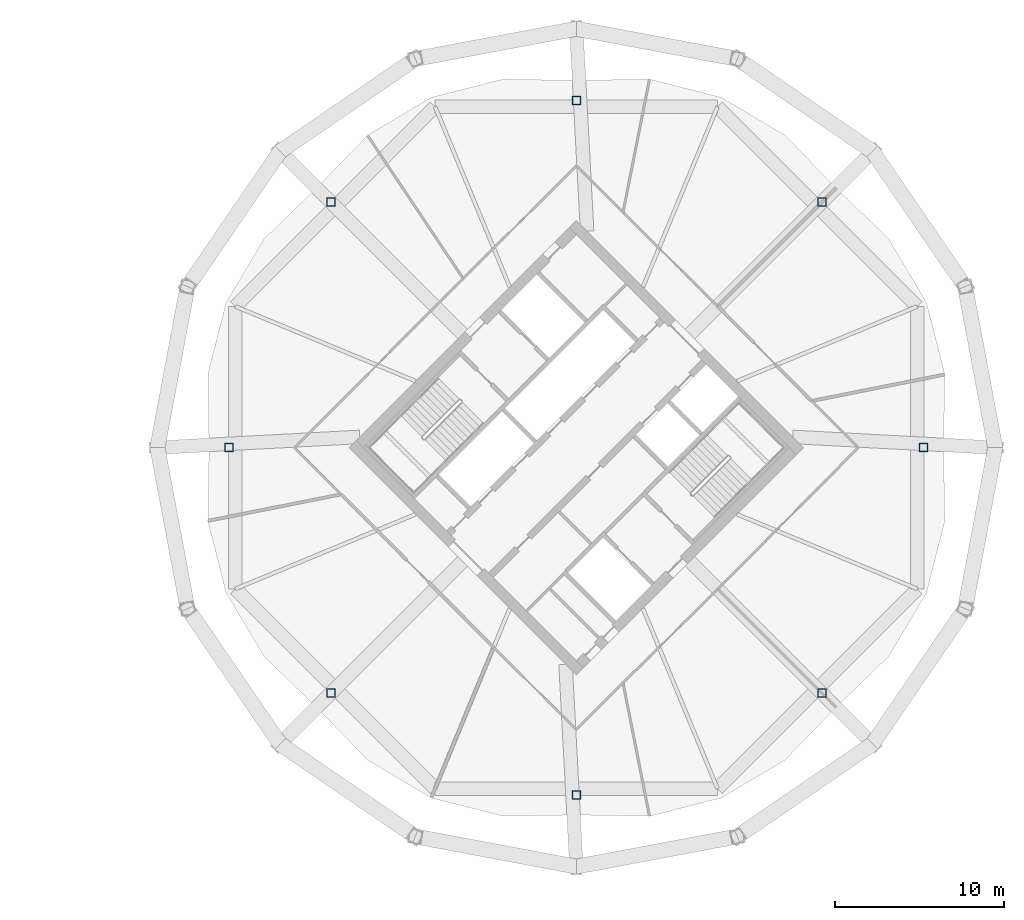
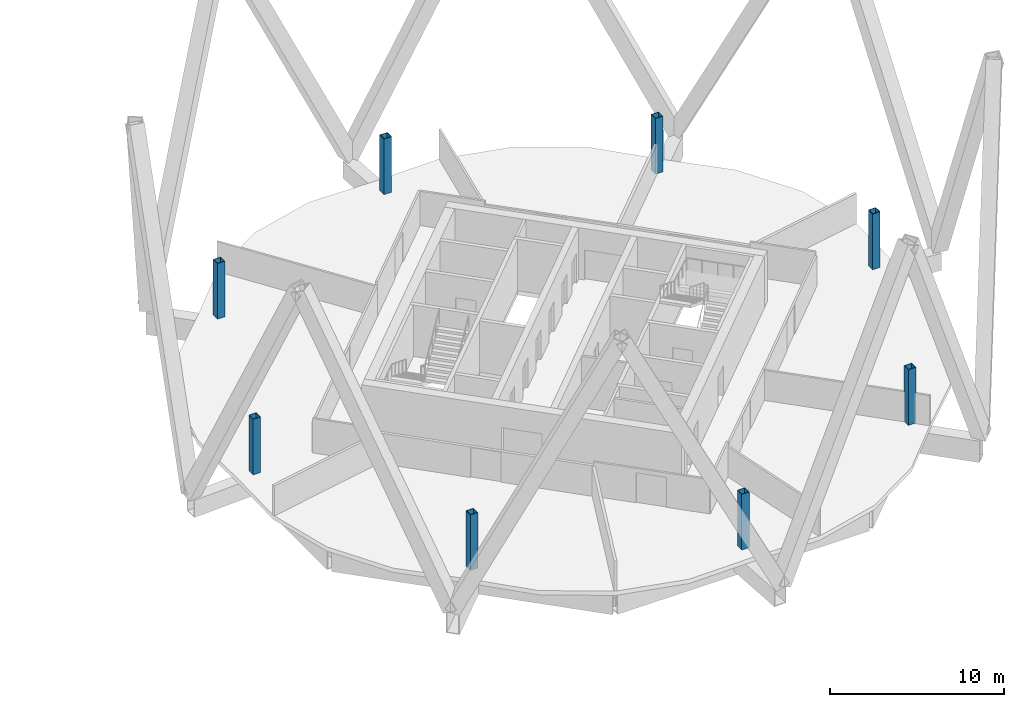
# One storey, part 2 of 10: 8 columns.
"""IFC4 building model written with IfcOpenShell, lengths in metres."""

from ifc_helpers import new_model, si_unit, direction, frame, origin, origin_2d, place, context, subcontext, project, spatial, hollow_rectangle, extrude, material, material_profile, profile_set, type_object, element, save


model = new_model("IFC4")

# Units and contexts
model_context = context("Model", 3, precision=1e-05, world=origin(), true_north=direction((0.0, 1.0)))
body_context = subcontext(model_context, "Body", "Model", "MODEL_VIEW")
ifc_project = project(units=[si_unit("LENGTHUNIT", "METRE"), si_unit("AREAUNIT", "SQUARE_METRE"), si_unit("VOLUMEUNIT", "CUBIC_METRE"), si_unit("PLANEANGLEUNIT", "RADIAN"), si_unit("MASSUNIT", "GRAM", prefix="KILO")], contexts=[model_context])

# Site, building, storey
site_placement = place(None, origin())
site = spatial("IfcSite", under=ifc_project, at=site_placement, CompositionType="ELEMENT")
building_placement = place(site_placement, origin())
building = spatial("IfcBuilding", under=site, at=building_placement, Name="Ogive Gate Towers", CompositionType="ELEMENT")
storey_placement = place(building_placement, frame((0.0, 0.0, 181.199951171875)))
storey = spatial("IfcBuildingStorey", under=building, at=storey_placement, Name="L43", CompositionType="ELEMENT", Elevation=181.199951171875)

# Columns
ifc_material = material(Name="Steel SM460", Category="steel")
ifc_material_profile = material_profile(ifc_material, hollow_rectangle(XDim=0.5, YDim=0.5, WallThickness=0.030029296875, at=origin_2d()), Name="BX 500x500x30")
ifc_profile_set = profile_set([ifc_material_profile], Name="Steel SM460")
column_type = type_object("IfcColumnType", Name="Perimeter post BX 500x500x30", PredefinedType="COLUMN", material=ifc_profile_set)
for number, where, z_axis, x_axis, name in (
    (1, (56.52001953125, 0.0, 0.0), (0.0, 0.0, 1.0), (1.0, 0.0, 0.0), "T2/L43/SCL001"),
    (2, (50.509765625, 14.509765625, 0.0), (0.0, 0.0, 1.0), (1.0, 0.0, 0.0), "T2/L43/SCL002"),
    (3, (36.0, 20.52001953125, 0.0), (0.0, 0.0, 1.0), (1.0, 0.0, 0.0), "T2/L43/SCL003"),
    (4, (21.490234375, 14.509765625, 0.0), (0.0, 0.0, 1.0), (1.0, 0.0, 0.0), "T2/L43/SCL004"),
    (5, (15.47998046875, 0.0, 0.0), (0.0, 0.0, 1.0), (1.0, 0.0, 0.0), "T2/L43/SCL005"),
    (6, (21.490234375, -14.509765625, 0.0), (0.0, 0.0, 1.0), (1.0, 0.0, 0.0), "T2/L43/SCL006"),
    (7, (36.0, -20.52001953125, 0.0), (0.0, 0.0, 1.0), (1.0, 0.0, 0.0), "T2/L43/SCL007"),
    (8, (50.509765625, -14.509765625, 0.0), (0.0, 0.0, 1.0), (1.0, 0.0, 0.0), "T2/L43/SCL008"),
):
    element("IfcColumn", number, at=place(storey_placement, frame(where, z_axis=z_axis, x_axis=x_axis)), inside=storey, type_object=column_type, Name=name, PredefinedType="COLUMN", context=body_context, shape_type="SweptSolid", body=[
        extrude(hollow_rectangle(XDim=0.5, YDim=0.5, WallThickness=0.030029296875, at=origin_2d()), origin(), (0.0, 0.0, 1.0), 3.900146484375),
    ])

save(model, "model.ifc")
